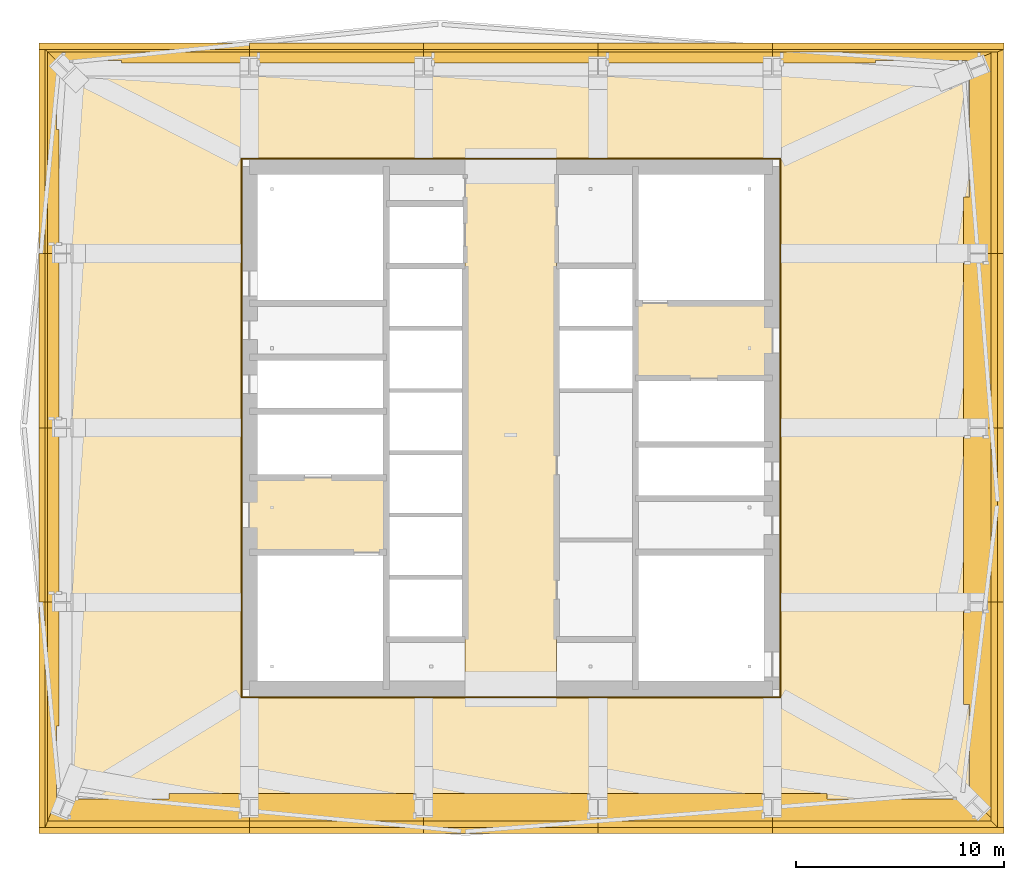
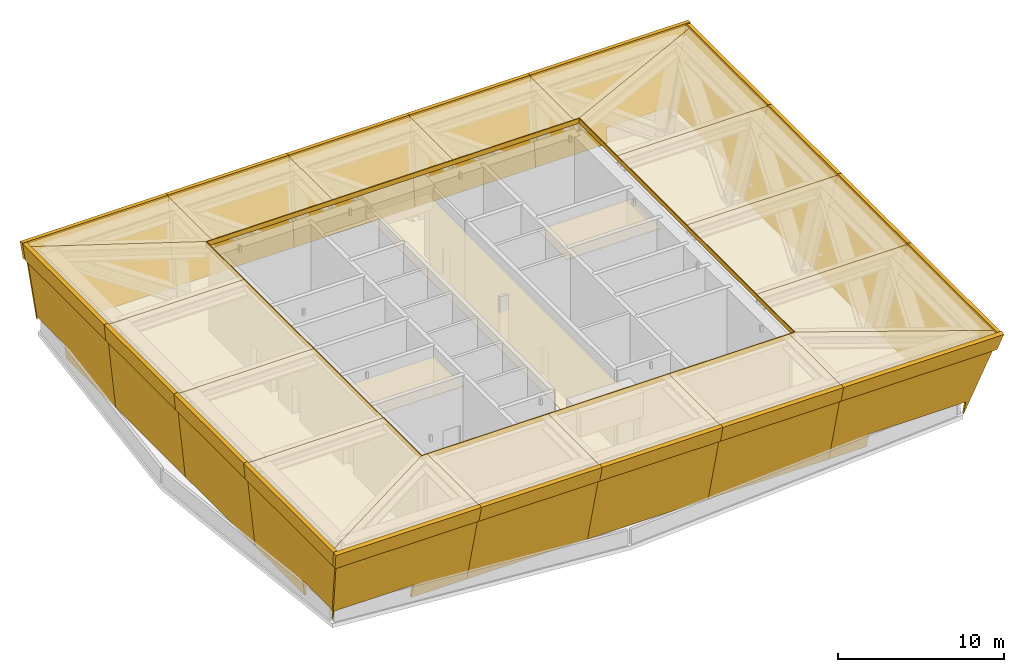
# One storey, part 7 of 7: 61 coverings.
"""IFC4 building model written with IfcOpenShell, lengths in metres."""

from ifc_helpers import new_model, si_unit, direction, frame, origin, place, context, subcontext, project, spatial, polyline, outline, extrude, material, layer, layer_set, type_object, element, save


model = new_model("IFC4")

# Units and contexts
model_context = context("Model", 3, precision=1e-05, world=origin(), true_north=direction((0.0, 1.0)))
body_context = subcontext(model_context, "Body", "Model", "MODEL_VIEW")
ifc_project = project(units=[si_unit("LENGTHUNIT", "METRE"), si_unit("AREAUNIT", "SQUARE_METRE"), si_unit("VOLUMEUNIT", "CUBIC_METRE"), si_unit("PLANEANGLEUNIT", "RADIAN"), si_unit("MASSUNIT", "GRAM", prefix="KILO")], contexts=[model_context])

# Site, building, storey
site_placement = place(None, origin())
site = spatial("IfcSite", under=ifc_project, at=site_placement, CompositionType="ELEMENT")
building_placement = place(site_placement, origin())
building = spatial("IfcBuilding", under=site, at=building_placement, Name="Rekha Terrace Tower", CompositionType="ELEMENT")
storey_placement = place(building_placement, frame((0.0, 0.0, 296.75)))
storey = spatial("IfcBuildingStorey", under=building, at=storey_placement, Name="L75", CompositionType="ELEMENT", Elevation=296.75)

# Coverings
ifc_material_1 = material(Name="Folded aluminium plate cap band on an aluminium sub-frame", Category="aluminium")
ifc_layer_1 = layer(ifc_material_1, 0.300048828125)
ifc_layer_set_1 = layer_set([ifc_layer_1], Name="Folded aluminium plate cap band on an aluminium sub-frame")
covering_type_1 = type_object("IfcCoveringType", Name="CC1 crown cap band 1200 x 300", PredefinedType="CLADDING", material=ifc_layer_set_1)
covering_1_placement = place(storey_placement, frame((15.485595703125, 25.199951171875, 5.25), z_axis=(0.994783545334, 0.0, 0.102008322858), x_axis=(0.0, -1.0, 0.0)))
element("IfcCovering", 1, at=covering_1_placement, inside=storey, type_object=covering_type_1, Name="Crown cap band 3D-3C", PredefinedType="CLADDING", context=body_context, shape_type="SweptSolid", body=[
    extrude(outline(polyline([(0.0, 0.0), (10.543701172, 0.0), (10.851318359, -1.206243486), (0.0, -1.206243486), (0.0, 0.0)])), origin(), (0.0, 0.0, -1.0), 0.300048828125),
])
covering_2_placement = place(storey_placement, frame((15.18408203125, 14.65625, 5.25), z_axis=(0.0, 0.96867602316, 0.248327932692), x_axis=(1.0, 0.0, 0.0)))
element("IfcCovering", 2, at=covering_2_placement, inside=storey, type_object=covering_type_1, Name="Crown cap band 3C-4C", PredefinedType="CLADDING", context=body_context, shape_type="SweptSolid", body=[
    extrude(outline(polyline([(0.0, 0.0), (10.015869141, 0.0), (10.015869141, -1.238753869), (-0.123291016, -1.238753869), (0.0, 0.0)])), origin(), (0.0, 0.0, -1.0), 0.300048828125),
])
covering_3_placement = place(storey_placement, frame((25.199951171875, 14.65625, 5.25), z_axis=(0.0, 0.96867602316, 0.248327932692), x_axis=(1.0, 0.0, 0.0)))
element("IfcCovering", 3, at=covering_3_placement, inside=storey, type_object=covering_type_1, Name="Crown cap band 4C-5C", PredefinedType="CLADDING", context=body_context, shape_type="SweptSolid", body=[
    extrude(outline(polyline([(0.0, 0.0), (8.400146484, 0.0), (8.400146484, -1.238753869), (0.0, -1.238753869), (0.0, 0.0)])), origin(), (0.0, 0.0, -1.0), 0.300048828125),
])
for number, where, z_axis, x_axis, name in (
    (4, (33.60009765625, 14.65625, 5.25), (0.0, 0.96867602316, 0.248327932692), (1.0, 0.0, 0.0), "Crown cap band 5C-6C"),
    (5, (42.0, 14.65625, 5.25), (0.0, 0.96867602316, 0.248327932692), (1.0, 0.0, 0.0), "Crown cap band 6C-7C"),
):
    element("IfcCovering", number, at=place(storey_placement, frame(where, z_axis=z_axis, x_axis=x_axis)), inside=storey, type_object=covering_type_1, Name=name, PredefinedType="CLADDING", context=body_context, shape_type="SweptSolid", body=[
        extrude(outline(polyline([(0.0, 0.0), (8.399902344, 0.0), (8.399902344, -1.238753869), (0.0, -1.238753869), (0.0, 0.0)])), origin(), (0.0, 0.0, -1.0), 0.300048828125),
    ])
covering_4_placement = place(storey_placement, frame((50.39990234375, 14.65625, 5.25), z_axis=(0.0, 0.96867602316, 0.248327932692), x_axis=(1.0, 0.0, 0.0)))
element("IfcCovering", 6, at=covering_4_placement, inside=storey, type_object=covering_type_1, Name="Crown cap band 7C-8C", PredefinedType="CLADDING", context=body_context, shape_type="SweptSolid", body=[
    extrude(outline(polyline([(0.0, 0.0), (10.853515625, 0.0), (11.161132812, -1.238753869), (0.0, -1.238753869), (0.0, 0.0)])), origin(), (0.0, 0.0, -1.0), 0.300048828125),
])
covering_5_placement = place(storey_placement, frame((60.943603515625, 14.65625, 5.25), z_axis=(-0.968628599009, 0.0, 0.248512851139), x_axis=(0.0, 1.0, 0.0)))
element("IfcCovering", 7, at=covering_5_placement, inside=storey, type_object=covering_type_1, Name="Crown cap band 8C-8D", PredefinedType="CLADDING", context=body_context, shape_type="SweptSolid", body=[
    extrude(outline(polyline([(0.0, 0.0), (10.543701172, 0.0), (10.543701172, -1.238814519), (-0.307617188, -1.238814519), (0.0, 0.0)])), origin(), (0.0, 0.0, -1.0), 0.300048828125),
])
covering_6_placement = place(storey_placement, frame((60.943603515625, 25.199951171875, 5.25), z_axis=(-0.968628599009, 0.0, 0.248512851139), x_axis=(0.0, 1.0, 0.0)))
element("IfcCovering", 8, at=covering_6_placement, inside=storey, type_object=covering_type_1, Name="Crown cap band 8D-8E", PredefinedType="CLADDING", context=body_context, shape_type="SweptSolid", body=[
    extrude(outline(polyline([(0.0, 0.0), (8.400146484, 0.0), (8.400146484, -1.238814519), (0.0, -1.238814519), (0.0, 0.0)])), origin(), (0.0, 0.0, -1.0), 0.300048828125),
])
covering_7_placement = place(storey_placement, frame((60.943603515625, 33.60009765625, 5.25), z_axis=(-0.968628599009, 0.0, 0.248512851139), x_axis=(0.0, 1.0, 0.0)))
element("IfcCovering", 9, at=covering_7_placement, inside=storey, type_object=covering_type_1, Name="Crown cap band 8E-8F", PredefinedType="CLADDING", context=body_context, shape_type="SweptSolid", body=[
    extrude(outline(polyline([(0.0, 0.0), (8.399902344, 0.0), (8.399902344, -1.238814519), (0.0, -1.238814519), (0.0, 0.0)])), origin(), (0.0, 0.0, -1.0), 0.300048828125),
])
covering_8_placement = place(storey_placement, frame((60.943603515625, 42.0, 5.25), z_axis=(-0.968628599009, 0.0, 0.248512851139), x_axis=(0.0, 1.0, 0.0)))
element("IfcCovering", 10, at=covering_8_placement, inside=storey, type_object=covering_type_1, Name="Crown cap band 8F-8G", PredefinedType="CLADDING", context=body_context, shape_type="SweptSolid", body=[
    extrude(outline(polyline([(0.0, 0.0), (9.714355469, 0.0), (9.837402344, -1.238814519), (0.0, -1.238814519), (0.0, 0.0)])), origin(), (0.0, 0.0, -1.0), 0.300048828125),
])
covering_9_placement = place(storey_placement, frame((61.25341796875, 51.71435546875, 5.25), z_axis=(0.0, -0.994783545334, 0.102008322858), x_axis=(-1.0, 0.0, 0.0)))
element("IfcCovering", 11, at=covering_9_placement, inside=storey, type_object=covering_type_1, Name="Crown cap band 8G-7G", PredefinedType="CLADDING", context=body_context, shape_type="SweptSolid", body=[
    extrude(outline(polyline([(0.0, 0.0), (10.853515625, 0.0), (10.853515625, -1.206243486), (-0.307617188, -1.206243486), (0.0, 0.0)])), origin(), (0.0, 0.0, -1.0), 0.300048828125),
])
for number, where, z_axis, x_axis, name in (
    (12, (50.39990234375, 51.71435546875, 5.25), (0.0, -0.994783545334, 0.102008322858), (-1.0, 0.0, 0.0), "Crown cap band 7G-6G"),
    (13, (42.0, 51.71435546875, 5.25), (0.0, -0.994783545334, 0.102008322858), (-1.0, 0.0, 0.0), "Crown cap band 6G-5G"),
):
    element("IfcCovering", number, at=place(storey_placement, frame(where, z_axis=z_axis, x_axis=x_axis)), inside=storey, type_object=covering_type_1, Name=name, PredefinedType="CLADDING", context=body_context, shape_type="SweptSolid", body=[
        extrude(outline(polyline([(0.0, 0.0), (8.399902344, 0.0), (8.399902344, -1.206243486), (0.0, -1.206243486), (0.0, 0.0)])), origin(), (0.0, 0.0, -1.0), 0.300048828125),
    ])
covering_10_placement = place(storey_placement, frame((33.60009765625, 51.71435546875, 5.25), z_axis=(0.0, -0.994783545334, 0.102008322858), x_axis=(-1.0, 0.0, 0.0)))
element("IfcCovering", 14, at=covering_10_placement, inside=storey, type_object=covering_type_1, Name="Crown cap band 5G-4G", PredefinedType="CLADDING", context=body_context, shape_type="SweptSolid", body=[
    extrude(outline(polyline([(0.0, 0.0), (8.400146484, 0.0), (8.400146484, -1.206243486), (0.0, -1.206243486), (0.0, 0.0)])), origin(), (0.0, 0.0, -1.0), 0.300048828125),
])
covering_11_placement = place(storey_placement, frame((25.199951171875, 51.71435546875, 5.25), z_axis=(0.0, -0.994783545334, 0.102008322858), x_axis=(-1.0, 0.0, 0.0)))
element("IfcCovering", 15, at=covering_11_placement, inside=storey, type_object=covering_type_1, Name="Crown cap band 4G-3G", PredefinedType="CLADDING", context=body_context, shape_type="SweptSolid", body=[
    extrude(outline(polyline([(0.0, 0.0), (10.015869141, 0.0), (10.139160156, -1.206243486), (0.0, -1.206243486), (0.0, 0.0)])), origin(), (0.0, 0.0, -1.0), 0.300048828125),
])
covering_12_placement = place(storey_placement, frame((15.485595703125, 51.71435546875, 5.25), z_axis=(0.994783545334, 0.0, 0.102008322858), x_axis=(0.0, -1.0, 0.0)))
element("IfcCovering", 16, at=covering_12_placement, inside=storey, type_object=covering_type_1, Name="Crown cap band 3G-3F", PredefinedType="CLADDING", context=body_context, shape_type="SweptSolid", body=[
    extrude(outline(polyline([(0.0, 0.0), (9.714355469, 0.0), (9.714355469, -1.206243486), (-0.123046875, -1.206243486), (0.0, 0.0)])), origin(), (0.0, 0.0, -1.0), 0.300048828125),
])
covering_13_placement = place(storey_placement, frame((15.485595703125, 42.0, 5.25), z_axis=(0.994783545334, 0.0, 0.102008322858), x_axis=(0.0, -1.0, 0.0)))
element("IfcCovering", 17, at=covering_13_placement, inside=storey, type_object=covering_type_1, Name="Crown cap band 3F-3E", PredefinedType="CLADDING", context=body_context, shape_type="SweptSolid", body=[
    extrude(outline(polyline([(0.0, 0.0), (8.399902344, 0.0), (8.399902344, -1.206243486), (0.0, -1.206243486), (0.0, 0.0)])), origin(), (0.0, 0.0, -1.0), 0.300048828125),
])
covering_14_placement = place(storey_placement, frame((15.485595703125, 33.60009765625, 5.25), z_axis=(0.994783545334, 0.0, 0.102008322858), x_axis=(0.0, -1.0, 0.0)))
element("IfcCovering", 18, at=covering_14_placement, inside=storey, type_object=covering_type_1, Name="Crown cap band 3E-3D", PredefinedType="CLADDING", context=body_context, shape_type="SweptSolid", body=[
    extrude(outline(polyline([(0.0, 0.0), (8.400146484, 0.0), (8.400146484, -1.206243486), (0.0, -1.206243486), (0.0, 0.0)])), origin(), (0.0, 0.0, -1.0), 0.300048828125),
])
ifc_material_2 = material(Name="Aluminium bar grating louvre, 80 % free area", Category="aluminium")
ifc_layer_2 = layer(ifc_material_2, 0.050048828125)
ifc_layer_set_2 = layer_set([ifc_layer_2], Name="Aluminium bar grating louvre, 80 % free area")
covering_type_2 = type_object("IfcCoveringType", Name="CG1 crown top louvre 50", PredefinedType="CLADDING", material=ifc_layer_set_2)
covering_15_placement = place(storey_placement, frame((0.0, 0.0, 6.300048828125)))
element("IfcCovering", 19, at=covering_15_placement, inside=storey, type_object=covering_type_2, Name="Crown top louvre 3D-3C", PredefinedType="CLADDING", context=body_context, shape_type="SweptSolid", body=[
    extrude(outline(polyline([(15.3779296875, 14.793212890625), (24.800048828125, 20.60009765625), (24.800048828125, 20.60009765625), (24.800048828125, 25.199951171875), (15.3779296875, 25.199951171875), (15.3779296875, 14.793212890625)])), origin(), (0.0, 0.0, 1.0), 0.050048828125),
])
covering_16_placement = place(storey_placement, frame((0.0, 0.0, 6.300048828125)))
element("IfcCovering", 20, at=covering_16_placement, inside=storey, type_object=covering_type_2, Name="Crown top louvre 3C-4C", PredefinedType="CLADDING", context=body_context, shape_type="SweptSolid", body=[
    extrude(outline(polyline([(25.199951171875, 14.38720703125), (25.199951171875, 20.60009765625), (24.800048828125, 20.60009765625), (15.3779296875, 14.793212890625), (15.3779296875, 14.38720703125), (25.199951171875, 14.38720703125)])), origin(), (0.0, 0.0, 1.0), 0.050048828125),
])
covering_17_placement = place(storey_placement, frame((0.0, 0.0, 6.300048828125)))
element("IfcCovering", 21, at=covering_17_placement, inside=storey, type_object=covering_type_2, Name="Crown top louvre 4C-5C", PredefinedType="CLADDING", context=body_context, shape_type="SweptSolid", body=[
    extrude(outline(polyline([(33.60009765625, 14.38720703125), (33.60009765625, 20.60009765625), (25.199951171875, 20.60009765625), (25.199951171875, 14.38720703125), (33.60009765625, 14.38720703125)])), origin(), (0.0, 0.0, 1.0), 0.050048828125),
])
covering_18_placement = place(storey_placement, frame((0.0, 0.0, 6.300048828125)))
element("IfcCovering", 22, at=covering_18_placement, inside=storey, type_object=covering_type_2, Name="Crown top louvre 5C-6C", PredefinedType="CLADDING", context=body_context, shape_type="SweptSolid", body=[
    extrude(outline(polyline([(42.0, 14.38720703125), (42.0, 20.60009765625), (33.60009765625, 20.60009765625), (33.60009765625, 14.38720703125), (42.0, 14.38720703125)])), origin(), (0.0, 0.0, 1.0), 0.050048828125),
])
covering_19_placement = place(storey_placement, frame((0.0, 0.0, 6.300048828125)))
element("IfcCovering", 23, at=covering_19_placement, inside=storey, type_object=covering_type_2, Name="Crown top louvre 6C-7C", PredefinedType="CLADDING", context=body_context, shape_type="SweptSolid", body=[
    extrude(outline(polyline([(50.39990234375, 14.38720703125), (50.39990234375, 20.60009765625), (42.0, 20.60009765625), (42.0, 14.38720703125), (50.39990234375, 14.38720703125)])), origin(), (0.0, 0.0, 1.0), 0.050048828125),
])
covering_20_placement = place(storey_placement, frame((0.0, 0.0, 6.300048828125)))
element("IfcCovering", 24, at=covering_20_placement, inside=storey, type_object=covering_type_2, Name="Crown top louvre 7C-8C", PredefinedType="CLADDING", context=body_context, shape_type="SweptSolid", body=[
    extrude(outline(polyline([(61.212890625, 14.790771484375), (50.800048828125, 20.60009765625), (50.39990234375, 20.60009765625), (50.39990234375, 14.38720703125), (61.212890625, 14.38720703125), (61.212890625, 14.790771484375)])), origin(), (0.0, 0.0, 1.0), 0.050048828125),
])
covering_21_placement = place(storey_placement, frame((0.0, 0.0, 6.300048828125)))
element("IfcCovering", 25, at=covering_21_placement, inside=storey, type_object=covering_type_2, Name="Crown top louvre 8C-8D", PredefinedType="CLADDING", context=body_context, shape_type="SweptSolid", body=[
    extrude(outline(polyline([(61.212890625, 25.199951171875), (50.800048828125, 25.199951171875), (50.800048828125, 20.60009765625), (61.212890625, 14.790771484375), (61.212890625, 25.199951171875)])), origin(), (0.0, 0.0, 1.0), 0.050048828125),
])
covering_22_placement = place(storey_placement, frame((0.0, 0.0, 6.300048828125)))
element("IfcCovering", 26, at=covering_22_placement, inside=storey, type_object=covering_type_2, Name="Crown top louvre 8D-8E", PredefinedType="CLADDING", context=body_context, shape_type="SweptSolid", body=[
    extrude(outline(polyline([(61.212890625, 33.60009765625), (50.800048828125, 33.60009765625), (50.800048828125, 25.199951171875), (61.212890625, 25.199951171875), (61.212890625, 33.60009765625)])), origin(), (0.0, 0.0, 1.0), 0.050048828125),
])
covering_23_placement = place(storey_placement, frame((0.0, 0.0, 6.300048828125)))
element("IfcCovering", 27, at=covering_23_placement, inside=storey, type_object=covering_type_2, Name="Crown top louvre 8E-8F", PredefinedType="CLADDING", context=body_context, shape_type="SweptSolid", body=[
    extrude(outline(polyline([(61.212890625, 42.0), (50.800048828125, 42.0), (50.800048828125, 33.60009765625), (61.212890625, 33.60009765625), (61.212890625, 42.0)])), origin(), (0.0, 0.0, 1.0), 0.050048828125),
])
covering_24_placement = place(storey_placement, frame((0.0, 0.0, 6.300048828125)))
element("IfcCovering", 28, at=covering_24_placement, inside=storey, type_object=covering_type_2, Name="Crown top louvre 8F-8G", PredefinedType="CLADDING", context=body_context, shape_type="SweptSolid", body=[
    extrude(outline(polyline([(61.212890625, 51.4228515625), (50.800048828125, 46.60009765625), (50.800048828125, 42.0), (61.212890625, 42.0), (61.212890625, 51.4228515625)])), origin(), (0.0, 0.0, 1.0), 0.050048828125),
])
covering_25_placement = place(storey_placement, frame((0.0, 0.0, 6.300048828125)))
element("IfcCovering", 29, at=covering_25_placement, inside=storey, type_object=covering_type_2, Name="Crown top louvre 8G-7G", PredefinedType="CLADDING", context=body_context, shape_type="SweptSolid", body=[
    extrude(outline(polyline([(50.39990234375, 51.822021484375), (50.39990234375, 46.60009765625), (50.800048828125, 46.60009765625), (61.212890625, 51.4228515625), (61.212890625, 51.822021484375), (50.39990234375, 51.822021484375)])), origin(), (0.0, 0.0, 1.0), 0.050048828125),
])
covering_26_placement = place(storey_placement, frame((0.0, 0.0, 6.300048828125)))
element("IfcCovering", 30, at=covering_26_placement, inside=storey, type_object=covering_type_2, Name="Crown top louvre 7G-6G", PredefinedType="CLADDING", context=body_context, shape_type="SweptSolid", body=[
    extrude(outline(polyline([(42.0, 51.822021484375), (42.0, 46.60009765625), (50.39990234375, 46.60009765625), (50.39990234375, 51.822021484375), (42.0, 51.822021484375)])), origin(), (0.0, 0.0, 1.0), 0.050048828125),
])
covering_27_placement = place(storey_placement, frame((0.0, 0.0, 6.300048828125)))
element("IfcCovering", 31, at=covering_27_placement, inside=storey, type_object=covering_type_2, Name="Crown top louvre 6G-5G", PredefinedType="CLADDING", context=body_context, shape_type="SweptSolid", body=[
    extrude(outline(polyline([(33.60009765625, 51.822021484375), (33.60009765625, 46.60009765625), (42.0, 46.60009765625), (42.0, 51.822021484375), (33.60009765625, 51.822021484375)])), origin(), (0.0, 0.0, 1.0), 0.050048828125),
])
covering_28_placement = place(storey_placement, frame((0.0, 0.0, 6.300048828125)))
element("IfcCovering", 32, at=covering_28_placement, inside=storey, type_object=covering_type_2, Name="Crown top louvre 5G-4G", PredefinedType="CLADDING", context=body_context, shape_type="SweptSolid", body=[
    extrude(outline(polyline([(25.199951171875, 51.822021484375), (25.199951171875, 46.60009765625), (33.60009765625, 46.60009765625), (33.60009765625, 51.822021484375), (25.199951171875, 51.822021484375)])), origin(), (0.0, 0.0, 1.0), 0.050048828125),
])
covering_29_placement = place(storey_placement, frame((0.0, 0.0, 6.300048828125)))
element("IfcCovering", 33, at=covering_29_placement, inside=storey, type_object=covering_type_2, Name="Crown top louvre 4G-3G", PredefinedType="CLADDING", context=body_context, shape_type="SweptSolid", body=[
    extrude(outline(polyline([(15.3779296875, 51.822021484375), (15.3779296875, 51.420654296875), (24.800048828125, 46.60009765625), (25.199951171875, 46.60009765625), (25.199951171875, 51.822021484375), (15.3779296875, 51.822021484375)])), origin(), (0.0, 0.0, 1.0), 0.050048828125),
])
covering_30_placement = place(storey_placement, frame((0.0, 0.0, 6.300048828125)))
element("IfcCovering", 34, at=covering_30_placement, inside=storey, type_object=covering_type_2, Name="Crown top louvre 3G-3F", PredefinedType="CLADDING", context=body_context, shape_type="SweptSolid", body=[
    extrude(outline(polyline([(15.3779296875, 42.0), (24.800048828125, 42.0), (24.800048828125, 46.60009765625), (24.800048828125, 46.60009765625), (15.3779296875, 51.420654296875), (15.3779296875, 42.0)])), origin(), (0.0, 0.0, 1.0), 0.050048828125),
])
covering_31_placement = place(storey_placement, frame((0.0, 0.0, 6.300048828125)))
element("IfcCovering", 35, at=covering_31_placement, inside=storey, type_object=covering_type_2, Name="Crown top louvre 3F-3E", PredefinedType="CLADDING", context=body_context, shape_type="SweptSolid", body=[
    extrude(outline(polyline([(15.3779296875, 33.60009765625), (24.800048828125, 33.60009765625), (24.800048828125, 42.0), (15.3779296875, 42.0), (15.3779296875, 33.60009765625)])), origin(), (0.0, 0.0, 1.0), 0.050048828125),
])
covering_32_placement = place(storey_placement, frame((0.0, 0.0, 6.300048828125)))
element("IfcCovering", 36, at=covering_32_placement, inside=storey, type_object=covering_type_2, Name="Crown top louvre 3E-3D", PredefinedType="CLADDING", context=body_context, shape_type="SweptSolid", body=[
    extrude(outline(polyline([(15.3779296875, 25.199951171875), (24.800048828125, 25.199951171875), (24.800048828125, 33.60009765625), (15.3779296875, 33.60009765625), (15.3779296875, 25.199951171875)])), origin(), (0.0, 0.0, 1.0), 0.050048828125),
])
ifc_material_3 = material(Name="Folded aluminium closure, 3 mm, 350 high", Category="aluminium")
ifc_layer_3 = layer(ifc_material_3, 0.050048828125)
ifc_layer_set_3 = layer_set([ifc_layer_3], Name="Folded aluminium closure, 3 mm, 350 high")
covering_type_3 = type_object("IfcCoveringType", Name="CG2 crown roof edge closure 50 x 350", PredefinedType="CLADDING", material=ifc_layer_set_3)
covering_33_placement = place(storey_placement, frame((0.0, 0.0, 6.0)))
element("IfcCovering", 37, at=covering_33_placement, inside=storey, type_object=covering_type_3, Name="Crown roof edge closure S", PredefinedType="CLADDING", context=body_context, shape_type="SweptSolid", body=[
    extrude(outline(polyline([(24.800048828125, 20.60009765625), (50.800048828125, 20.60009765625), (50.75, 20.64990234375), (24.85009765625, 20.64990234375), (24.800048828125, 20.60009765625)])), origin(), (0.0, 0.0, 1.0), 0.35009765625),
])
covering_34_placement = place(storey_placement, frame((0.0, 0.0, 6.0)))
element("IfcCovering", 38, at=covering_34_placement, inside=storey, type_object=covering_type_3, Name="Crown roof edge closure E", PredefinedType="CLADDING", context=body_context, shape_type="SweptSolid", body=[
    extrude(outline(polyline([(50.800048828125, 20.60009765625), (50.800048828125, 46.60009765625), (50.75, 46.550048828125), (50.75, 20.64990234375), (50.800048828125, 20.60009765625)])), origin(), (0.0, 0.0, 1.0), 0.35009765625),
])
covering_35_placement = place(storey_placement, frame((0.0, 0.0, 6.0)))
element("IfcCovering", 39, at=covering_35_placement, inside=storey, type_object=covering_type_3, Name="Crown roof edge closure N", PredefinedType="CLADDING", context=body_context, shape_type="SweptSolid", body=[
    extrude(outline(polyline([(50.800048828125, 46.60009765625), (24.800048828125, 46.60009765625), (24.85009765625, 46.550048828125), (50.75, 46.550048828125), (50.800048828125, 46.60009765625)])), origin(), (0.0, 0.0, 1.0), 0.35009765625),
])
covering_36_placement = place(storey_placement, frame((0.0, 0.0, 6.0)))
element("IfcCovering", 40, at=covering_36_placement, inside=storey, type_object=covering_type_3, Name="Crown roof edge closure W", PredefinedType="CLADDING", context=body_context, shape_type="SweptSolid", body=[
    extrude(outline(polyline([(24.800048828125, 46.60009765625), (24.800048828125, 20.60009765625), (24.85009765625, 20.64990234375), (24.85009765625, 46.550048828125), (24.800048828125, 46.60009765625)])), origin(), (0.0, 0.0, 1.0), 0.35009765625),
])
ifc_material_4 = material(Name="Powder-coated aluminium pan", Category="aluminium")
ifc_layer_4 = layer(ifc_material_4, 0.030029296875)
ifc_layer_set_4 = layer_set([ifc_layer_4], Name="Powder-coated aluminium pan")
covering_type_4 = type_object("IfcCoveringType", Name="CL3 300x1200 metal pan ceiling", PredefinedType="CEILING", material=ifc_layer_set_4)
covering_37_placement = place(storey_placement, frame((0.0, 0.0, 4.77001953125)))
element("IfcCovering", 41, at=covering_37_placement, inside=storey, type_object=covering_type_4, Name="Ceiling L75-LOBBY", PredefinedType="CEILING", context=body_context, shape_type="SweptSolid", body=[
    extrude(outline(polyline([(35.60009765625, 46.199951171875), (35.60009765625, 21.0), (40.0, 21.0), (40.0, 46.199951171875), (35.60009765625, 46.199951171875)])), origin(), (0.0, 0.0, 1.0), 0.030029296875),
])
covering_38_placement = place(storey_placement, frame((0.0, 0.0, 4.77001953125)))
element("IfcCovering", 42, at=covering_38_placement, inside=storey, type_object=covering_type_4, Name="Ceiling L75-FLB1", PredefinedType="CEILING", context=body_context, shape_type="SweptSolid", body=[
    extrude(outline(polyline([(25.199951171875, 31.199951171875), (25.199951171875, 27.60009765625), (31.800048828125, 27.60009765625), (31.800048828125, 31.199951171875), (25.199951171875, 31.199951171875)])), origin(), (0.0, 0.0, 1.0), 0.030029296875),
])
covering_39_placement = place(storey_placement, frame((0.0, 0.0, 4.77001953125)))
element("IfcCovering", 43, at=covering_39_placement, inside=storey, type_object=covering_type_4, Name="Ceiling L75-FLB2", PredefinedType="CEILING", context=body_context, shape_type="SweptSolid", body=[
    extrude(outline(polyline([(43.800048828125, 39.60009765625), (43.800048828125, 36.0), (50.39990234375, 36.0), (50.39990234375, 39.60009765625), (43.800048828125, 39.60009765625)])), origin(), (0.0, 0.0, 1.0), 0.030029296875),
])
ifc_material_5 = material(Name="Anodised aluminium louvre blades at 100 mm pitch on an aluminium sub-frame, 50 % free area", Category="aluminium")
ifc_layer_5 = layer(ifc_material_5, 0.14990234375)
ifc_layer_set_5 = layer_set([ifc_layer_5], Name="Anodised aluminium louvre blades at 100 mm pitch on an aluminium sub-frame, 50 % free area")
covering_type_5 = type_object("IfcCoveringType", Name="CS1 crown louvre screen 150", PredefinedType="CLADDING", material=ifc_layer_set_5)
covering_40_placement = place(storey_placement, frame((16.018798828125, 25.199951171875, 0.050048828125), z_axis=(0.994783971457, 0.0, 0.102004167228), x_axis=(0.0, -1.0, 0.0)))
element("IfcCovering", 44, at=covering_40_placement, inside=storey, type_object=covering_type_5, Name="Crown louvre screen 3D-3C", PredefinedType="CLADDING", context=body_context, shape_type="SweptSolid", body=[
    extrude(outline(polyline([(0.0, 0.0), (5.970214844, 0.0), (5.970214844, -1.105622001), (9.417236328, -1.105622001), (9.417236328, 0.0), (9.210205078, 0.0), (10.543701172, -5.227217019), (0.0, -5.227217019), (0.0, 0.0)])), origin(), (0.0, 0.0, -1.0), 0.14990234375),
])
covering_41_placement = place(storey_placement, frame((15.8681640625, 15.98974609375, 0.050048828125), z_axis=(0.0, 0.968661143514, 0.248385967892), x_axis=(-1.0, 0.0, 0.0)))
element("IfcCovering", 45, at=covering_41_placement, inside=storey, type_object=covering_type_5, Name="Crown louvre screen 3C-4C", PredefinedType="CLADDING", context=body_context, shape_type="SweptSolid", body=[
    extrude(outline(polyline([(0.0, 0.0), (0.038085938, 0.0), (0.038085938, 1.135486482), (-5.458984375, 1.135486482), (-5.458984375, 0.0), (-9.331787109, 0.0), (-9.331787109, 5.368212366), (0.533447266, 5.368212366), (0.0, 0.0)])), origin(), (0.0, 0.0, -1.0), 0.14990234375),
])
covering_42_placement = place(storey_placement, frame((25.199951171875, 15.98974609375, 0.050048828125), z_axis=(0.0, 0.968656009851, 0.248405987408), x_axis=(1.0, 0.0, 0.0)))
element("IfcCovering", 46, at=covering_42_placement, inside=storey, type_object=covering_type_5, Name="Crown louvre screen 4C-5C", PredefinedType="CLADDING", context=body_context, shape_type="SweptSolid", body=[
    extrude(outline(polyline([(0.0, 0.0), (8.400146484, 0.0), (8.400146484, -5.368212367), (0.0, -5.368212367), (0.0, 0.0)])), origin(), (0.0, 0.0, -1.0), 0.14990234375),
])
for number, where, z_axis, x_axis, name in (
    (47, (33.60009765625, 15.98974609375, 0.050048828125), (0.0, 0.968656009851, 0.248405987408), (1.0, 0.0, 0.0), "Crown louvre screen 5C-6C"),
    (48, (42.0, 15.98974609375, 0.050048828125), (0.0, 0.968656009851, 0.248405987408), (1.0, 0.0, 0.0), "Crown louvre screen 6C-7C"),
):
    element("IfcCovering", number, at=place(storey_placement, frame(where, z_axis=z_axis, x_axis=x_axis)), inside=storey, type_object=covering_type_5, Name=name, PredefinedType="CLADDING", context=body_context, shape_type="SweptSolid", body=[
        extrude(outline(polyline([(0.0, 0.0), (8.399902344, 0.0), (8.399902344, -5.368212367), (0.0, -5.368212367), (0.0, 0.0)])), origin(), (0.0, 0.0, -1.0), 0.14990234375),
    ])
covering_43_placement = place(storey_placement, frame((50.39990234375, 15.98974609375, 0.050048828125), z_axis=(0.0, 0.968662188152, 0.248381893954), x_axis=(1.0, 0.0, 0.0)))
element("IfcCovering", 49, at=covering_43_placement, inside=storey, type_object=covering_type_5, Name="Crown louvre screen 7C-8C", PredefinedType="CLADDING", context=body_context, shape_type="SweptSolid", body=[
    extrude(outline(polyline([(0.0, 0.0), (2.624267578, 0.0), (2.624267578, -1.135486481), (9.372314453, -1.135486481), (9.372314453, 0.0), (9.365234375, 0.0), (10.698486328, -5.368212366), (0.0, -5.368212366), (0.0, 0.0)])), origin(), (0.0, 0.0, -1.0), 0.14990234375),
])
covering_44_placement = place(storey_placement, frame((59.6103515625, 15.98974609375, 0.050048828125), z_axis=(-0.96866657901, 0.0, 0.248364769461), x_axis=(0.0, -1.0, 0.0)))
element("IfcCovering", 50, at=covering_44_placement, inside=storey, type_object=covering_type_5, Name="Crown louvre screen 8C-8D", PredefinedType="CLADDING", context=body_context, shape_type="SweptSolid", body=[
    extrude(outline(polyline([(0.0, 0.0), (0.157226562, 0.0), (0.157226562, 1.135425842), (-4.2890625, 1.135425842), (-4.2890625, 0.0), (-9.210205078, 0.0), (-9.210205078, 5.368151727), (1.333496094, 5.368151727), (0.0, 0.0)])), origin(), (0.0, 0.0, -1.0), 0.14990234375),
])
covering_45_placement = place(storey_placement, frame((59.6103515625, 25.199951171875, 0.050048828125), z_axis=(-0.968666952175, 0.0, 0.248363314044), x_axis=(0.0, 1.0, 0.0)))
element("IfcCovering", 51, at=covering_45_placement, inside=storey, type_object=covering_type_5, Name="Crown louvre screen 8D-8E", PredefinedType="CLADDING", context=body_context, shape_type="SweptSolid", body=[
    extrude(outline(polyline([(0.0, 0.0), (8.400146484, 0.0), (8.400146484, -5.368151727), (0.0, -5.368151727), (0.0, 0.0)])), origin(), (0.0, 0.0, -1.0), 0.14990234375),
])
covering_46_placement = place(storey_placement, frame((59.6103515625, 33.60009765625, 0.050048828125), z_axis=(-0.968666952175, 0.0, 0.248363314044), x_axis=(0.0, 1.0, 0.0)))
element("IfcCovering", 52, at=covering_46_placement, inside=storey, type_object=covering_type_5, Name="Crown louvre screen 8E-8F", PredefinedType="CLADDING", context=body_context, shape_type="SweptSolid", body=[
    extrude(outline(polyline([(0.0, 0.0), (8.399902344, 0.0), (8.399902344, -5.368151727), (0.0, -5.368151727), (0.0, 0.0)])), origin(), (0.0, 0.0, -1.0), 0.14990234375),
])
covering_47_placement = place(storey_placement, frame((59.6103515625, 42.0, 0.050048828125), z_axis=(-0.968666321944, -1.004409e-06, 0.248365772058), x_axis=(-9.72937e-07, 0.999999999999, 2.49461e-07)))
element("IfcCovering", 53, at=covering_47_placement, inside=storey, type_object=covering_type_5, Name="Crown louvre screen 8F-8G", PredefinedType="CLADDING", context=body_context, shape_type="SweptSolid", body=[
    extrude(outline(polyline([(0.0, 0.0), (2.723144531, 0.0), (2.723144531, -1.135425842), (9.293945313, -1.135425842), (9.714355469, -5.368151727), (0.0, -5.368151727), (0.0, 0.0)])), origin(), (0.0, 0.0, -1.0), 0.14990234375),
])
covering_48_placement = place(storey_placement, frame((59.76513671875, 51.18115234375, 0.050048828125), z_axis=(0.0, -0.994784000316, 0.102003885787), x_axis=(1.0, 0.0, 0.0)))
element("IfcCovering", 54, at=covering_48_placement, inside=storey, type_object=covering_type_5, Name="Crown louvre screen 8G-7G", PredefinedType="CLADDING", context=body_context, shape_type="SweptSolid", body=[
    extrude(outline(polyline([(0.0, 0.0), (0.007080078, 0.0), (0.007080078, 1.105622001), (-4.391601562, 1.105622001), (-4.391601562, 0.0), (-9.365234375, 0.0), (-9.365234375, 5.227217019), (1.333251953, 5.227217019), (0.0, 0.0)])), origin(), (0.0, 0.0, -1.0), 0.14990234375),
])
for number, where, z_axis, x_axis, name in (
    (55, (50.39990234375, 51.18115234375, 0.050048828125), (0.0, -0.994783869332, 0.102005163182), (-1.0, 0.0, 0.0), "Crown louvre screen 7G-6G"),
    (56, (42.0, 51.18115234375, 0.050048828125), (0.0, -0.994783869332, 0.102005163182), (-1.0, 0.0, 0.0), "Crown louvre screen 6G-5G"),
):
    element("IfcCovering", number, at=place(storey_placement, frame(where, z_axis=z_axis, x_axis=x_axis)), inside=storey, type_object=covering_type_5, Name=name, PredefinedType="CLADDING", context=body_context, shape_type="SweptSolid", body=[
        extrude(outline(polyline([(0.0, 0.0), (8.399902344, 0.0), (8.399902344, -5.227217019), (0.0, -5.227217019), (0.0, 0.0)])), origin(), (0.0, 0.0, -1.0), 0.14990234375),
    ])
covering_49_placement = place(storey_placement, frame((33.60009765625, 51.18115234375, 0.050048828125), z_axis=(0.0, -0.994783869332, 0.102005163182), x_axis=(-1.0, 0.0, 0.0)))
element("IfcCovering", 57, at=covering_49_placement, inside=storey, type_object=covering_type_5, Name="Crown louvre screen 5G-4G", PredefinedType="CLADDING", context=body_context, shape_type="SweptSolid", body=[
    extrude(outline(polyline([(0.0, 0.0), (8.400146484, 0.0), (8.400146484, -5.227217019), (0.0, -5.227217019), (0.0, 0.0)])), origin(), (0.0, 0.0, -1.0), 0.14990234375),
])
covering_50_placement = place(storey_placement, frame((25.199951171875, 51.18115234375, 0.050048828125), z_axis=(0.0, -0.994783968122, 0.10200419975), x_axis=(-1.0, 0.0, 0.0)))
element("IfcCovering", 58, at=covering_50_placement, inside=storey, type_object=covering_type_5, Name="Crown louvre screen 4G-3G", PredefinedType="CLADDING", context=body_context, shape_type="SweptSolid", body=[
    extrude(outline(polyline([(0.0, 0.0), (6.171386719, 0.0), (6.171386719, -1.105622001), (9.419677734, -1.105622001), (9.419677734, 0.0), (9.331787109, 0.0), (9.865234375, -5.227217019), (0.0, -5.227217019), (0.0, 0.0)])), origin(), (0.0, 0.0, -1.0), 0.14990234375),
])
covering_51_placement = place(storey_placement, frame((15.906005859375, 51.2939453125, 1.14990234375), z_axis=(0.994783978676, 7.93007e-07, 0.102004096822), x_axis=(7.88871e-07, -1.0, 8.089e-08)))
element("IfcCovering", 59, at=covering_51_placement, inside=storey, type_object=covering_type_5, Name="Crown louvre screen 3G-3F", PredefinedType="CLADDING", context=body_context, shape_type="SweptSolid", body=[
    extrude(outline(polyline([(0.0, 0.0), (3.322753906, 0.0), (3.322753906, 1.105622001), (9.293945313, 1.105622001), (9.293945313, -4.121595018), (-0.420410156, -4.121595018), (0.0, 0.0)])), origin(), (0.0, 0.0, -1.0), 0.14990234375),
])
covering_52_placement = place(storey_placement, frame((16.018798828125, 42.0, 0.050048828125), z_axis=(0.994783869332, 0.0, 0.102005163182), x_axis=(0.0, -1.0, 0.0)))
element("IfcCovering", 60, at=covering_52_placement, inside=storey, type_object=covering_type_5, Name="Crown louvre screen 3F-3E", PredefinedType="CLADDING", context=body_context, shape_type="SweptSolid", body=[
    extrude(outline(polyline([(0.0, 0.0), (8.399902344, 0.0), (8.399902344, -5.227217019), (0.0, -5.227217019), (0.0, 0.0)])), origin(), (0.0, 0.0, -1.0), 0.14990234375),
])
covering_53_placement = place(storey_placement, frame((16.018798828125, 33.60009765625, 0.050048828125), z_axis=(0.994783869332, 0.0, 0.102005163182), x_axis=(0.0, -1.0, 0.0)))
element("IfcCovering", 61, at=covering_53_placement, inside=storey, type_object=covering_type_5, Name="Crown louvre screen 3E-3D", PredefinedType="CLADDING", context=body_context, shape_type="SweptSolid", body=[
    extrude(outline(polyline([(0.0, 0.0), (8.400146484, 0.0), (8.400146484, -5.227217019), (0.0, -5.227217019), (0.0, 0.0)])), origin(), (0.0, 0.0, -1.0), 0.14990234375),
])

save(model, "model.ifc")
